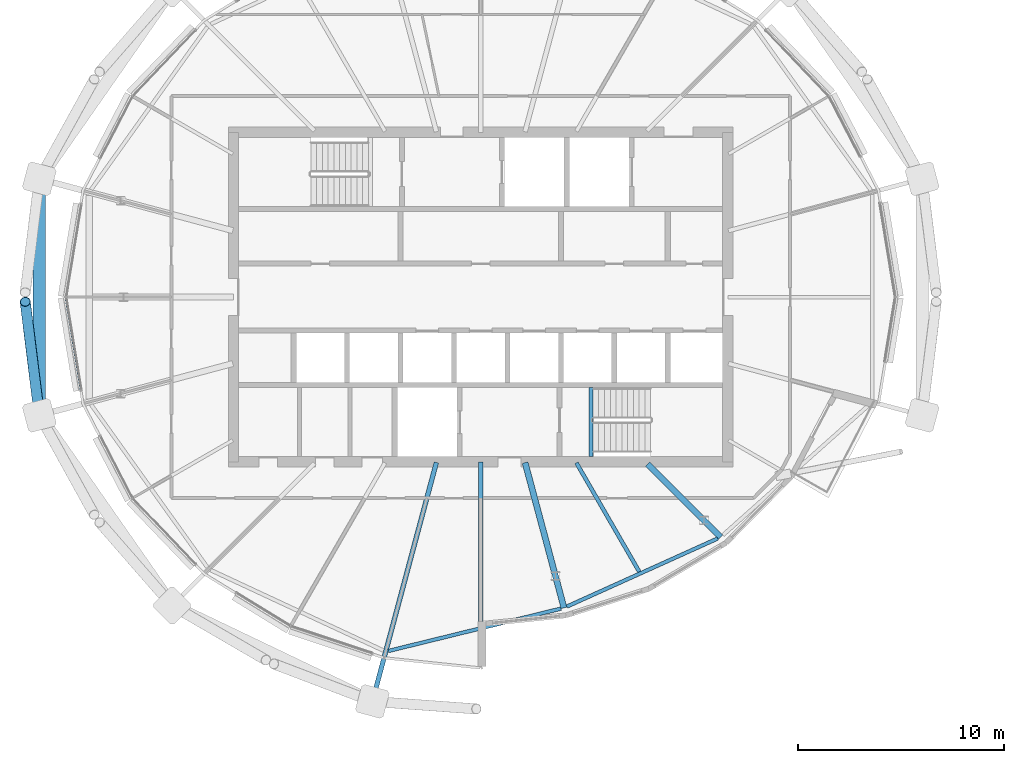
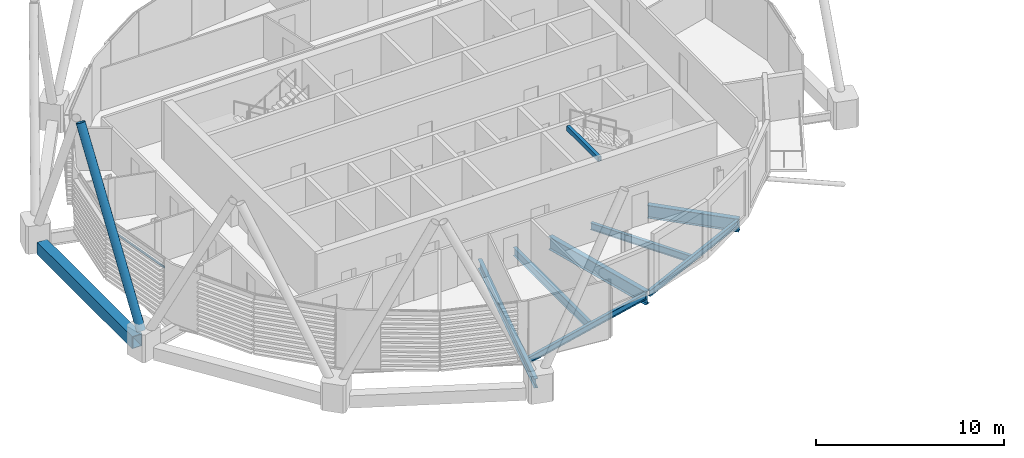
# One storey, part 4 of 31: 9 beams, 2 members, 1 element without a shape of its own.
"""IFC4 building model written with IfcOpenShell, lengths in metres."""

from ifc_helpers import new_model, si_unit, direction, frame, origin, origin_2d, place, context, subcontext, project, spatial, rectangle, hollow_rectangle, hollow_circle, i_section, extrude, material, material_profile, profile_set, type_object, element, aggregate, save


model = new_model("IFC4")

# Units and contexts
model_context = context("Model", 3, precision=1e-05, world=origin(), true_north=direction((0.0, 1.0)))
body_context = subcontext(model_context, "Body", "Model", "MODEL_VIEW")
ifc_project = project(units=[si_unit("LENGTHUNIT", "METRE"), si_unit("AREAUNIT", "SQUARE_METRE"), si_unit("VOLUMEUNIT", "CUBIC_METRE"), si_unit("PLANEANGLEUNIT", "RADIAN"), si_unit("MASSUNIT", "GRAM", prefix="KILO")], contexts=[model_context])

# Site, building, storey
site_placement = place(None, origin())
site = spatial("IfcSite", under=ifc_project, at=site_placement, CompositionType="ELEMENT")
building_placement = place(site_placement, origin())
building = spatial("IfcBuilding", under=site, at=building_placement, Name="Rimbun Link Towers", CompositionType="ELEMENT")
storey_placement = place(building_placement, frame((0.0, 0.0, 244.699951171875)))
storey = spatial("IfcBuildingStorey", under=building, at=storey_placement, Name="L60", CompositionType="ELEMENT", Elevation=244.699951171875)

# Curtain wall, member
ifc_material_1 = material(Name="Aluminium 6063-T6 and low-iron glass", Category="aluminium")
curtain_wall_type = type_object("IfcCurtainWallType", Name="CW1-Z4 unitised vision wall (zone 4)", PredefinedType="NOTDEFINED", material=ifc_material_1)
curtain_wall_placement = place(storey_placement, origin())
curtain_wall = element("IfcCurtainWall", 1, at=curtain_wall_placement, inside=storey, type_object=curtain_wall_type, Name="CW1 L60 T1", PredefinedType="NOTDEFINED")
ifc_material_2 = material(Name="Aluminium 6063-T6", Category="aluminium")
ifc_material_profile_1 = material_profile(ifc_material_2, rectangle(XDim=0.06005859375, YDim=0.1201171875, at=origin_2d()), Name="TRANSOM 60X120")
ifc_profile_set_1 = profile_set([ifc_material_profile_1], Name="Aluminium 6063-T6")
member_type_1 = type_object("IfcMemberType", Name="CW1 transom 60X120", PredefinedType="USERDEFINED", material=ifc_profile_set_1)
member_1_placement = place(storey_placement, frame((-51.1767578125, -4.4990234375, 3.199951171875), z_axis=(-0.16226135535, 0.986747816091, 0.0), x_axis=(-0.986747816091, -0.16226135535, 0.0)))
member_1 = element("IfcMember", 2, at=member_1_placement, type_object=member_type_1, Name="CW1 transom", ObjectType="TRANSOM", PredefinedType="USERDEFINED", context=body_context, shape_type="SweptSolid", body=[
    extrude(rectangle(XDim=0.06005859375, YDim=0.1201171875, at=origin_2d()), origin(), (0.0, 0.0, 1.0), 4.519775390625),
])
aggregate(curtain_wall, [member_1])

# Member
ifc_material_3 = material(Name="Steel S355J2H", Category="steel")
ifc_material_profile_2 = material_profile(ifc_material_3, hollow_circle(Radius=0.25390625, WallThickness=0.02001953125, at=origin_2d()), Name="Diagrid diagonal CHS 508x20")
ifc_profile_set_2 = profile_set([ifc_material_profile_2], Name="Steel S355J2H")
member_type_2 = type_object("IfcMemberType", Name="Diagrid diagonal CHS 508x20", PredefinedType="BRACE", material=ifc_profile_set_2)
member_2_placement = place(storey_placement, frame((-53.21044921875, -5.518310546875, 0.44580078125), z_axis=(-0.055809660669, 0.449191118149, 0.891690877576), x_axis=(-0.992369840819, -0.123296792472, 0.0)))
element("IfcMember", 3, at=member_2_placement, inside=storey, type_object=member_type_2, Name="Diagrid diagonal T1 L60-L63 13a", PredefinedType="BRACE", context=body_context, shape_type="SweptSolid", body=[
    extrude(hollow_circle(Radius=0.25390625, WallThickness=0.02001953125, at=origin_2d()), origin(), (0.0, 0.0, 1.0), 11.784912109375),
])

# Beams
ifc_material_4 = material(Name="Steel S355J2", Category="steel")
ifc_material_profile_3 = material_profile(ifc_material_4, hollow_rectangle(XDim=0.60009765625, YDim=0.800048828125, WallThickness=0.0400390625, at=origin_2d()), Name="Exoskeleton ring girder BOX 600x800x40")
ifc_profile_set_3 = profile_set([ifc_material_profile_3], Name="Steel S355J2")
beam_type_1 = type_object("IfcBeamType", Name="Exoskeleton ring girder BOX 600x800x40", PredefinedType="BEAM", material=ifc_profile_set_3)
beam_1_placement = place(storey_placement, frame((-53.1826171875, 5.042724609375, -0.56005859375), z_axis=(0.0, -1.0, 0.0), x_axis=(1.0, 0.0, 0.0)))
element("IfcBeam", 4, at=beam_1_placement, inside=storey, type_object=beam_type_1, Name="Exoskeleton ring girder L60 05", PredefinedType="BEAM", context=body_context, shape_type="SweptSolid", body=[
    extrude(hollow_rectangle(XDim=0.60009765625, YDim=0.800048828125, WallThickness=0.0400390625, at=origin_2d()), origin(), (0.0, 0.0, 1.0), 10.08544921875),
])
ifc_material_5 = material(Name="Steel S355J2", Category="steel")
ifc_material_profile_4 = material_profile(ifc_material_5, hollow_rectangle(XDim=0.199951171875, YDim=0.300048828125, WallThickness=0.011962890625, at=origin_2d()), Name="BOX 300x200x12")
ifc_profile_set_4 = profile_set([ifc_material_profile_4], Name="Steel S355J2")
beam_type_2 = type_object("IfcBeamType", Name="Stair trimmer beam BOX 300x200x12", PredefinedType="BEAM", material=ifc_profile_set_4)
beam_2_placement = place(storey_placement, frame((-26.39990234375, -7.75, 3.510009765625), z_axis=(0.0, 1.0, 0.0), x_axis=(-1.0, 0.0, 0.0)))
element("IfcBeam", 5, at=beam_2_placement, inside=storey, type_object=beam_type_2, Name="L60 ST2 stair beam 1", PredefinedType="BEAM", context=body_context, shape_type="SweptSolid", body=[
    extrude(hollow_rectangle(XDim=0.199951171875, YDim=0.300048828125, WallThickness=0.011962890625, at=origin_2d()), origin(), (0.0, 0.0, 1.0), 3.35009765625),
])
ifc_material_6 = material(Name="Steel S355J2", Category="steel")
ifc_material_profile_5 = material_profile(ifc_material_6, i_section(OverallWidth=0.177978515625, OverallDepth=0.406494140625, WebThickness=0.0078125, FlangeThickness=0.0126953125, at=origin_2d()), Name="UB 406x178x60")
ifc_profile_set_5 = profile_set([ifc_material_profile_5], Name="Steel S355J2")
beam_type_3 = type_object("IfcBeamType", Name="UB 406x178x60", PredefinedType="BEAM", material=ifc_profile_set_5)
beam_3_placement = place(storey_placement, frame((-36.236083984375, -17.184814453125, -0.34326171875), z_axis=(0.971164793059, 0.238409195967, 0.0), x_axis=(-0.238409195967, 0.971164793059, 0.0)))
element("IfcBeam", 6, at=beam_3_placement, inside=storey, type_object=beam_type_3, Name="Edge beam T1 L60 17-19", PredefinedType="BEAM", context=body_context, shape_type="SweptSolid", body=[
    extrude(i_section(OverallWidth=0.177978515625, OverallDepth=0.406494140625, WebThickness=0.0078125, FlangeThickness=0.0126953125, at=origin_2d()), origin(), (0.0, 0.0, 1.0), 8.6357421875),
])
beam_4_placement = place(storey_placement, frame((-27.570556640625, -15.029541015625, -0.34326171875), z_axis=(0.911376108196, 0.411574524734, 0.0), x_axis=(-0.411574524734, 0.911376108196, 0.0)))
element("IfcBeam", 7, at=beam_4_placement, inside=storey, type_object=beam_type_3, Name="Edge beam T1 L60 19-21", PredefinedType="BEAM", context=body_context, shape_type="SweptSolid", body=[
    extrude(i_section(OverallWidth=0.177978515625, OverallDepth=0.406494140625, WebThickness=0.0078125, FlangeThickness=0.0126953125, at=origin_2d()), origin(), (0.0, 0.0, 1.0), 8.044189453125),
])
ifc_material_7 = material(Name="Steel S355J2", Category="steel")
ifc_material_profile_6 = material_profile(ifc_material_7, i_section(OverallWidth=0.18994140625, OverallDepth=0.453369140625, WebThickness=0.008544921875, FlangeThickness=0.0126953125, at=origin_2d()), Name="UB 457x191x67")
ifc_profile_set_6 = profile_set([ifc_material_profile_6], Name="Steel S355J2")
beam_type_4 = type_object("IfcBeamType", Name="UB 457x191x67", PredefinedType="BEAM", material=ifc_profile_set_6)
beam_5_placement = place(storey_placement, frame((-27.103271484375, -8.04833984375, -0.36669921875), z_axis=(0.499997989718, -0.866026564418, 0.0), x_axis=(0.866026564418, 0.499997989718, 0.0)))
element("IfcBeam", 8, at=beam_5_placement, inside=storey, type_object=beam_type_4, Name="Radial beam T1 L60 20", PredefinedType="BEAM", context=body_context, shape_type="SweptSolid", body=[
    extrude(i_section(OverallWidth=0.18994140625, OverallDepth=0.453369140625, WebThickness=0.008544921875, FlangeThickness=0.0126953125, at=origin_2d()), origin(), (0.0, 0.0, 1.0), 6.1103515625),
])
ifc_material_8 = material(Name="Steel S355J2", Category="steel")
ifc_material_profile_7 = material_profile(ifc_material_8, i_section(OverallWidth=0.209228515625, OverallDepth=0.533203125, WebThickness=0.010009765625, FlangeThickness=0.015625, at=origin_2d()), Name="UB 533x210x92")
ifc_profile_set_7 = profile_set([ifc_material_profile_7], Name="Steel S355J2")
beam_type_5 = type_object("IfcBeamType", Name="UB 533x210x92", PredefinedType="BEAM", material=ifc_profile_set_7)
beam_6_placement = place(storey_placement, frame((-31.75, -8.0009765625, -0.406494140625), z_axis=(0.0, -1.0, 0.0), x_axis=(1.0, 0.0, 0.0)))
element("IfcBeam", 9, at=beam_6_placement, inside=storey, type_object=beam_type_5, Name="Radial beam T1 L60 18", PredefinedType="BEAM", context=body_context, shape_type="SweptSolid", body=[
    extrude(i_section(OverallWidth=0.209228515625, OverallDepth=0.533203125, WebThickness=0.010009765625, FlangeThickness=0.015625, at=origin_2d()), origin(), (0.0, 0.0, 1.0), 7.989990234375),
])
ifc_material_9 = material(Name="Steel S355J2", Category="steel")
ifc_material_profile_8 = material_profile(ifc_material_9, i_section(OverallWidth=0.2275390625, OverallDepth=0.6025390625, WebThickness=0.010498046875, FlangeThickness=0.014892578125, at=origin_2d()), Name="UB 610x229x101")
ifc_profile_set_8 = profile_set([ifc_material_profile_8], Name="Steel S355J2")
beam_type_6 = type_object("IfcBeamType", Name="UB 610x229x101", PredefinedType="BEAM", material=ifc_profile_set_8)
beam_7_placement = place(storey_placement, frame((-33.90185546875, -8.030517578125, -0.441162109375), z_axis=(-0.258822650732, -0.965924860156, 0.0), x_axis=(0.965924860156, -0.258822650732, 0.0)))
element("IfcBeam", 10, at=beam_7_placement, inside=storey, type_object=beam_type_6, Name="Radial beam T1 L60 17", PredefinedType="BEAM", context=body_context, shape_type="SweptSolid", body=[
    extrude(i_section(OverallWidth=0.2275390625, OverallDepth=0.6025390625, WebThickness=0.010498046875, FlangeThickness=0.014892578125, at=origin_2d()), origin(), (0.0, 0.0, 1.0), 11.5126953125),
])
ifc_material_10 = material(Name="Steel S355J2", Category="steel")
ifc_material_profile_9 = material_profile(ifc_material_10, i_section(OverallWidth=0.29248046875, OverallDepth=0.8408203125, WebThickness=0.0126953125, FlangeThickness=0.021728515625, at=origin_2d()), Name="UB 838x292x194")
ifc_profile_set_9 = profile_set([ifc_material_profile_9], Name="Steel S355J2")
beam_type_7 = type_object("IfcBeamType", Name="UB 838x292x194", PredefinedType="BEAM", material=ifc_profile_set_9)
beam_8_placement = place(storey_placement, frame((-29.595947265625, -8.038818359375, -0.560302734375), z_axis=(0.25882801755, -0.965923422084, 0.0), x_axis=(0.965923422084, 0.25882801755, 0.0)))
element("IfcBeam", 11, at=beam_8_placement, inside=storey, type_object=beam_type_7, Name="Radial beam T1 L60 19", PredefinedType="BEAM", context=body_context, shape_type="SweptSolid", body=[
    extrude(i_section(OverallWidth=0.29248046875, OverallDepth=0.8408203125, WebThickness=0.0126953125, FlangeThickness=0.021728515625, at=origin_2d()), origin(), (0.0, 0.0, 1.0), 7.30078125),
])
beam_9_placement = place(storey_placement, frame((-23.64599609375, -8.10400390625, -0.560302734375), z_axis=(0.707106781187, -0.707106781187, 0.0), x_axis=(0.707106781187, 0.707106781187, 0.0)))
element("IfcBeam", 12, at=beam_9_placement, inside=storey, type_object=beam_type_7, Name="Radial beam T1 L60 21", PredefinedType="BEAM", context=body_context, shape_type="SweptSolid", body=[
    extrude(i_section(OverallWidth=0.29248046875, OverallDepth=0.8408203125, WebThickness=0.0126953125, FlangeThickness=0.021728515625, at=origin_2d()), origin(), (0.0, 0.0, 1.0), 5.0205078125),
])

save(model, "model.ifc")
